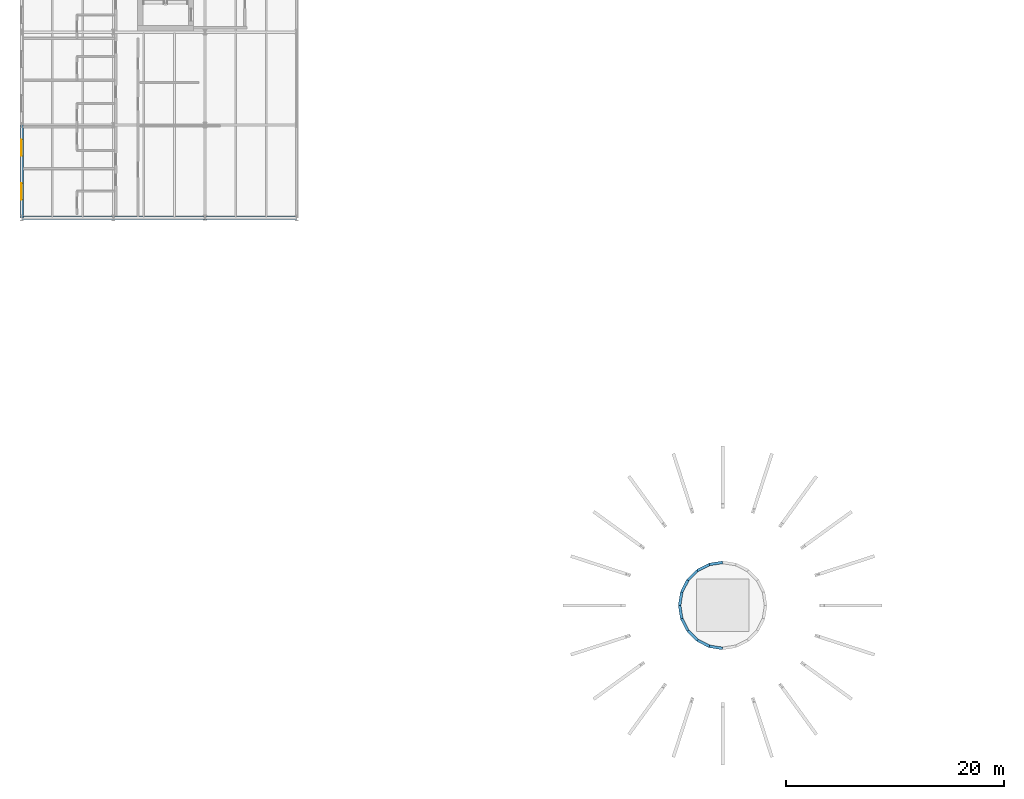
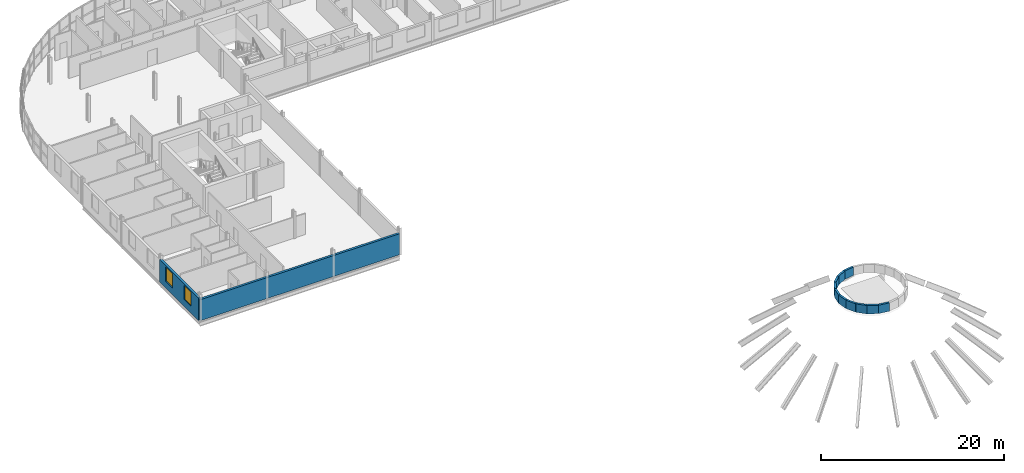
# One storey, part 17 of 34: 12 walls, 2 windows, 2 openings.
"""IFC4 building model written with IfcOpenShell, lengths in metres."""

import ifcopenshell
import ifcopenshell.guid

model = None  # the IFC model being written
_history = None  # IfcOwnerHistory: only IFC2X3 demands one
_inside = {}  # id of a spatial element -> (the spatial element, [elements in it])
_under = {}  # id of a project, library or spatial element -> (it, [spatial elements below it])
_declared = {}  # id of a project -> (the project, [libraries it declares])
_typed = {}  # id of a type object -> (the type object, [elements of that type])
_made_of = {}  # id of a material, layer set ... -> (it, [elements and type objects made of it])


def new_model(schema):
    """Start an empty IFC model of exactly this schema.

    Asked for "IFC4X3", IfcOpenShell would pick the latest addendum, in which some entities
    have other attributes; the version numbers below select the first issue.
    IFC2X3 requires an IfcOwnerHistory on every rooted entity: one is made here for all.
    """
    global model, _history
    if schema == "IFC4X3":
        model = ifcopenshell.file(schema_version=(4, 3, 0, 0))
    else:
        model = ifcopenshell.file(schema=schema)
    _inside.clear()
    _under.clear()
    _declared.clear()
    _typed.clear()
    _made_of.clear()
    _history = None
    if model.schema == "IFC2X3":
        org = make("IfcOrganization", Name="unknown")
        user = make(
            "IfcPersonAndOrganization",
            ThePerson=make("IfcPerson", FamilyName="unknown"),
            TheOrganization=org,
        )
        app = make(
            "IfcApplication",
            ApplicationDeveloper=org,
            Version="unknown",
            ApplicationFullName="unknown",
            ApplicationIdentifier="unknown",
        )
        _history = make(
            "IfcOwnerHistory",
            OwningUser=user,
            OwningApplication=app,
            ChangeAction="ADDED",
            CreationDate=0,
        )
    return model


def make(cls, **values):
    """One entity of the class cls with the attributes given. An attribute that is None is left unset."""
    return model.create_entity(
        cls, **{name: value for name, value in values.items() if value is not None}
    )


def rooted(cls, **values):
    """An entity with a GlobalId (a new one), such as an element, a storey or a relation."""
    return make(cls, GlobalId=ifcopenshell.guid.new(), OwnerHistory=_history, **values)


def si_unit(unit_type, name, prefix=None):
    """IfcSIUnit, for example si_unit("LENGTHUNIT", "METRE", prefix="MILLI")."""
    return make("IfcSIUnit", UnitType=unit_type, Prefix=prefix, Name=name)


def assignment(units):
    """IfcUnitAssignment: the units of a project."""
    return None if units is None else make("IfcUnitAssignment", Units=units)


def point(xyz):
    """IfcCartesianPoint."""
    return None if xyz is None else make("IfcCartesianPoint", Coordinates=xyz)


def direction(xyz):
    """IfcDirection."""
    return None if xyz is None else make("IfcDirection", DirectionRatios=xyz)


def frame(location, z_axis=None, x_axis=None):
    """IfcAxis2Placement3D, a coordinate frame: its origin and axes. An axis left out is left unset."""
    return make(
        "IfcAxis2Placement3D",
        Location=point(location),
        Axis=direction(z_axis),
        RefDirection=direction(x_axis),
    )


def frame_2d(location, x_axis=None):
    """IfcAxis2Placement2D, a coordinate frame in the plane: its origin and x axis."""
    return make(
        "IfcAxis2Placement2D", Location=point(location), RefDirection=direction(x_axis)
    )


def origin():
    """The frame at (0, 0, 0) with its axes left unset."""
    return frame((0.0, 0.0, 0.0))


def place(relative_to, where):
    """IfcLocalPlacement: puts the frame where relative to a parent placement (None: the world)."""
    return make(
        "IfcLocalPlacement", PlacementRelTo=relative_to, RelativePlacement=where
    )


def context(
    kind, dimensions, precision=None, world=None, true_north=None, identifier=None
):
    """IfcGeometricRepresentationContext, for example the 3D "Model" context."""
    return make(
        "IfcGeometricRepresentationContext",
        ContextIdentifier=identifier,
        ContextType=kind,
        CoordinateSpaceDimension=dimensions,
        Precision=precision,
        WorldCoordinateSystem=world,
        TrueNorth=true_north,
    )


def subcontext(parent, identifier, kind, view, scale=None):
    """IfcGeometricRepresentationSubContext, for example "Body" below "Model"."""
    return make(
        "IfcGeometricRepresentationSubContext",
        ContextIdentifier=identifier,
        ContextType=kind,
        ParentContext=parent,
        TargetScale=scale,
        TargetView=view,
    )


def project(units=None, contexts=None):
    """IfcProject with its units and contexts."""
    return rooted(
        "IfcProject",
        Name="project",
        RepresentationContexts=contexts,
        UnitsInContext=assignment(units),
    )


def spatial(cls, under=None, at=None, **own):
    """A site, building, storey or space (cls), placed at a placement, below another one or the project."""
    s = rooted(cls, ObjectPlacement=at, **own)
    if under is not None:
        _under.setdefault(under.id(), (under, []))[1].append(s)
    return s


def profile(cls, at=None, kind="AREA", **sizes):
    """A parametric profile (cls). Its sizes go by their IFC names, for example OverallWidth=200.0."""
    return make(cls, ProfileType=kind, Position=at, **sizes)


def rectangle(**sizes):
    """IfcRectangleProfileDef."""
    return profile("IfcRectangleProfileDef", **sizes)


def extrude(swept, where, along, depth):
    """IfcExtrudedAreaSolid: the profile swept, set in the frame where, extruded along a direction by depth."""
    return make(
        "IfcExtrudedAreaSolid",
        SweptArea=swept,
        Position=where,
        ExtrudedDirection=direction(along),
        Depth=depth,
    )


def shape(context_of_items, identifier, shape_type, items):
    """IfcShapeRepresentation: the items that make up one representation, for example the "Body"."""
    return make(
        "IfcShapeRepresentation",
        ContextOfItems=context_of_items,
        RepresentationIdentifier=identifier,
        RepresentationType=shape_type,
        Items=items,
    )


def material(Name=None, Category=None):
    """IfcMaterial."""
    return make("IfcMaterial", Name=Name, Category=Category)


def layer(
    of_material, thickness, ventilated=None, Name=None, Category=None, Priority=None
):
    """IfcMaterialLayer: one layer of a wall or slab, of a material (None: an air gap)."""
    return make(
        "IfcMaterialLayer",
        Material=of_material,
        LayerThickness=thickness,
        IsVentilated=ventilated,
        Name=Name,
        Category=Category,
        Priority=Priority,
    )


def layer_set(layers, Name=None):
    """IfcMaterialLayerSet."""
    return make("IfcMaterialLayerSet", MaterialLayers=layers, LayerSetName=Name)


def made_of(thing, what):
    """Note that an element or type object is made of a material, layer set ...; save() writes the relation."""
    if what is not None:
        _made_of.setdefault(what.id(), (what, []))[1].append(thing)
    return thing


def type_object(cls, material=None, **own):
    """A type object (cls), such as IfcWallType, which elements share."""
    return made_of(rooted(cls, **own), material)


def element(
    cls,
    number,
    at=None,
    inside=None,
    cuts=None,
    type_object=None,
    material=None,
    context=None,
    identifier="Body",
    shape_type=None,
    held_by="IfcProductDefinitionShape",
    body=None,
    shapes=None,
    **own,
):
    """One element of the class cls, such as IfcWall. Its Tag is "e" and its number.

    at: its placement. inside: the storey or other place that contains it. cuts: it is an
    opening in that element (IfcRelVoidsElement). A single representation is given by context,
    identifier, shape_type and body (its items); several are given by shapes. held_by: the class
    of the entity that holds the representations. save() writes the other relations.
    """
    e = rooted(cls, Tag="e%d" % number, ObjectPlacement=at, **own)
    if body is not None:
        shapes = [shape(context, identifier, shape_type, body)]
    if shapes is not None:
        e.Representation = make(held_by, Representations=shapes)
    if inside is not None:
        _inside.setdefault(inside.id(), (inside, []))[1].append(e)
    if cuts is not None:
        rooted(
            "IfcRelVoidsElement", RelatingBuildingElement=cuts, RelatedOpeningElement=e
        )
    if type_object is not None:
        _typed.setdefault(type_object.id(), (type_object, []))[1].append(e)
    return made_of(e, material)


def fill(opening, filler):
    """IfcRelFillsElement: the door or window that sits in an opening."""
    return rooted(
        "IfcRelFillsElement",
        RelatingOpeningElement=opening,
        RelatedBuildingElement=filler,
    )


def aggregate(whole, parts):
    """IfcRelAggregates: a whole, such as a stair, and the parts it consists of."""
    return rooted("IfcRelAggregates", RelatingObject=whole, RelatedObjects=parts)


def save(model, path):
    """Write the relations noted so far, then the file.

    IfcRelAggregates (storeys below a building ...), IfcRelContainedInSpatialStructure (elements
    in a storey), IfcRelDefinesByType, IfcRelAssociatesMaterial and IfcRelDeclares: one each for
    every whole, place, type object, material and project.
    """
    for whole, parts in _under.values():
        aggregate(whole, parts)
    for where, things in _inside.values():
        rooted(
            "IfcRelContainedInSpatialStructure",
            RelatedElements=things,
            RelatingStructure=where,
        )
    for kind, things in _typed.values():
        rooted("IfcRelDefinesByType", RelatedObjects=things, RelatingType=kind)
    for what, things in _made_of.values():
        rooted("IfcRelAssociatesMaterial", RelatedObjects=things, RelatingMaterial=what)
    for by, libraries in _declared.values():
        rooted("IfcRelDeclares", RelatingContext=by, RelatedDefinitions=libraries)
    model.write(path)


model = new_model("IFC4")

# Units and contexts
model_context = context("Model", 3, precision=1e-05, world=origin(), true_north=direction((0.0, 1.0)))
body_context = subcontext(model_context, "Body", "Model", "MODEL_VIEW")
ifc_project = project(units=[si_unit("LENGTHUNIT", "METRE"), si_unit("AREAUNIT", "SQUARE_METRE"), si_unit("VOLUMEUNIT", "CUBIC_METRE"), si_unit("PLANEANGLEUNIT", "RADIAN"), si_unit("MASSUNIT", "GRAM", prefix="KILO")], contexts=[model_context])

# Site, building, storey
site_placement = place(None, origin())
site = spatial("IfcSite", under=ifc_project, at=site_placement, CompositionType="ELEMENT")
building_placement = place(site_placement, origin())
building = spatial("IfcBuilding", under=site, at=building_placement, Name="Sefraquen Railside Congress Hotel", CompositionType="ELEMENT")
storey_placement = place(building_placement, frame((0.0, 0.0, 31.800048828125)))
storey = spatial("IfcBuildingStorey", under=building, at=storey_placement, Name="L07", CompositionType="ELEMENT", Elevation=31.800048828125)

# Wall
ifc_material_1 = material(Name="Ochre Rabat calcarenite limestone and Concrete C40/50 backing", Category="masonry")
ifc_layer_1 = layer(ifc_material_1, 0.280029296875)
ifc_layer_set_1 = layer_set([ifc_layer_1], Name="Ochre Rabat calcarenite limestone and Concrete C40/50 backing")
wall_type_1 = type_object("IfcWallType", Name="TW-EW-280", PredefinedType="STANDARD", material=ifc_layer_set_1)
wall_1_placement = place(storey_placement, frame((0.0, 62.5, 0.0), z_axis=(0.0, 0.0, 1.0), x_axis=(1.0, 0.0, 0.0)))
element("IfcWall", 1, at=wall_1_placement, inside=storey, type_object=wall_type_1, Name="Hotel L07 south-west return wall", PredefinedType="STANDARD", context=body_context, shape_type="SweptSolid", body=[
    extrude(rectangle(XDim=25.199951171875, YDim=0.280029296875, at=frame_2d((12.60009765625, 0.0))), origin(), (0.0, 0.0, 1.0), 2.800048828125),
])

# Wall, openings, windows
ifc_layer_2 = layer(ifc_material_1, 0.300048828125)
ifc_layer_set_2 = layer_set([ifc_layer_2], Name="Ochre Rabat calcarenite limestone and Concrete C40/50 backing")
wall_type_2 = type_object("IfcWallType", Name="TW-EW-300", PredefinedType="STANDARD", material=ifc_layer_set_2)
wall_2_placement = place(storey_placement, frame((0.0, 62.5, 0.0), z_axis=(0.0, 0.0, 1.0), x_axis=(0.0, 1.0, 0.0)))
wall_2 = element("IfcWall", 2, at=wall_2_placement, inside=storey, type_object=wall_type_2, Name="Hotel L07 West Forecourt facade wall", PredefinedType="STANDARD", context=body_context, shape_type="SweptSolid", body=[
    extrude(rectangle(XDim=8.5, YDim=0.300048828125, at=frame_2d((4.25, 0.0))), origin(), (0.0, 0.0, 1.0), 2.989990234375),
])
opening_1_placement = place(wall_2_placement, frame((1.652099609375, 0.0, 0.89990234375)))
opening_1 = element("IfcOpeningElement", 3, at=opening_1_placement, cuts=wall_2, Name="Opening WN-11", PredefinedType="OPENING", context=body_context, shape_type="SweptSolid", body=[
    extrude(rectangle(XDim=1.5, YDim=1.909912109375, at=frame_2d((0.75, 0.955078125))), frame((0.0, 0.159912109375, 0.0), z_axis=(0.0, -1.0, 0.0), x_axis=(1.0, 0.0, 0.0)), (0.0, 0.0, 1.0), 0.320068359375),
])
opening_2_placement = place(wall_2_placement, frame((5.6630859375, 0.0, 0.89990234375)))
opening_2 = element("IfcOpeningElement", 4, at=opening_2_placement, cuts=wall_2, Name="Opening WN-12", PredefinedType="OPENING", context=body_context, shape_type="SweptSolid", body=[
    extrude(rectangle(XDim=1.5, YDim=1.909912109375, at=frame_2d((0.75, 0.955078125))), frame((0.0, 0.159912109375, 0.0), z_axis=(0.0, -1.0, 0.0), x_axis=(1.0, 0.0, 0.0)), (0.0, 0.0, 1.0), 0.320068359375),
])
ifc_material_2 = material(Name="Solar-control low-E double glazing in bronze-anodised frame", Category="glass")
window_type_1 = type_object("IfcWindowType", Name="TWN-W-11", PartitioningType="DOUBLE_PANEL_VERTICAL", PredefinedType="WINDOW", material=ifc_material_2)
window_1_placement = place(opening_1_placement, origin())
window_1 = element("IfcWindow", 5, at=window_1_placement, inside=storey, type_object=window_type_1, Name="Guest room west window SP-L07-RM-037", OverallHeight=1.909912109375, OverallWidth=1.5, PartitioningType="DOUBLE_PANEL_VERTICAL", PredefinedType="WINDOW", context=body_context, shape_type="SweptSolid", body=[
    extrude(rectangle(XDim=1.5, YDim=1.909912109375, at=frame_2d((0.75, 0.955078125))), frame((0.0, 0.030029296875, 0.0), z_axis=(0.0, -1.0, 0.0), x_axis=(1.0, 0.0, 0.0)), (0.0, 0.0, 1.0), 0.06005859375),
])
fill(opening_1, window_1)
window_type_2 = type_object("IfcWindowType", Name="TWN-W-12", PartitioningType="DOUBLE_PANEL_VERTICAL", PredefinedType="WINDOW", material=ifc_material_2)
window_2_placement = place(opening_2_placement, origin())
window_2 = element("IfcWindow", 6, at=window_2_placement, inside=storey, type_object=window_type_2, Name="Guest room west window SP-L07-RM-038", OverallHeight=1.909912109375, OverallWidth=1.5, PartitioningType="DOUBLE_PANEL_VERTICAL", PredefinedType="WINDOW", context=body_context, shape_type="SweptSolid", body=[
    extrude(rectangle(XDim=1.5, YDim=1.909912109375, at=frame_2d((0.75, 0.955078125))), frame((0.0, 0.030029296875, 0.0), z_axis=(0.0, -1.0, 0.0), x_axis=(1.0, 0.0, 0.0)), (0.0, 0.0, 1.0), 0.06005859375),
])
fill(opening_2, window_2)

# Walls
ifc_material_3 = material(Name="Precast concrete C40/50", Category="concrete")
ifc_layer_3 = layer(ifc_material_3, 0.25)
ifc_layer_set_3 = layer_set([ifc_layer_3], Name="Precast concrete C40/50")
wall_type_3 = type_object("IfcWallType", Name="TW-PA-250", PredefinedType="PARAPET", material=ifc_layer_set_3)
wall_3_placement = place(storey_placement, frame((64.199951171875, 30.93994140625, 2.699951171875), z_axis=(0.0, 0.0, 1.0), x_axis=(-0.987714741959, -0.156267682255, 0.0)))
element("IfcWall", 7, at=wall_3_placement, inside=storey, type_object=wall_type_3, Name="Dome oculus maintenance parapet 06", PredefinedType="PARAPET", context=body_context, shape_type="SweptSolid", body=[
    extrude(rectangle(XDim=1.232666015625, YDim=0.25, at=frame_2d((0.6162109375, 0.0))), origin(), (0.0, 0.0, 1.0), 1.1201171875),
])
wall_4_placement = place(storey_placement, frame((62.982421875, 30.747314453125, 2.699951171875), z_axis=(0.0, 0.0, 1.0), x_axis=(-0.890954849555, -0.454091902652, 0.0)))
element("IfcWall", 8, at=wall_4_placement, inside=storey, type_object=wall_type_3, Name="Dome oculus maintenance parapet 07", PredefinedType="PARAPET", context=body_context, shape_type="SweptSolid", body=[
    extrude(rectangle(XDim=1.23291015625, YDim=0.25, at=frame_2d((0.616455078125, 0.0))), origin(), (0.0, 0.0, 1.0), 1.1201171875),
])
for number, where, z_axis, x_axis, name in (
    (9, (61.884033203125, 30.1875, 2.699951171875), (0.0, 0.0, 1.0), (-0.707106781187, -0.707106781187, 0.0), "Dome oculus maintenance parapet 08"),
    (10, (61.012451171875, 29.31591796875, 2.699951171875), (0.0, 0.0, 1.0), (-0.453934681971, -0.89103496256, 0.0), "Dome oculus maintenance parapet 09"),
    (11, (60.452880859375, 28.217529296875, 2.699951171875), (0.0, 0.0, 1.0), (-0.156460894688, -0.987684154188, 0.0), "Dome oculus maintenance parapet 10"),
    (12, (60.260009765625, 27.0, 2.699951171875), (0.0, 0.0, 1.0), (0.156460894688, -0.987684154188, 0.0), "Dome oculus maintenance parapet 11"),
    (13, (60.452880859375, 25.782470703125, 2.699951171875), (0.0, 0.0, 1.0), (0.453934681971, -0.89103496256, 0.0), "Dome oculus maintenance parapet 12"),
    (14, (61.012451171875, 24.68408203125, 2.699951171875), (0.0, 0.0, 1.0), (0.707106781187, -0.707106781187, 0.0), "Dome oculus maintenance parapet 13"),
):
    element("IfcWall", number, at=place(storey_placement, frame(where, z_axis=z_axis, x_axis=x_axis)), inside=storey, type_object=wall_type_3, Name=name, PredefinedType="PARAPET", context=body_context, shape_type="SweptSolid", body=[
        extrude(rectangle(XDim=1.232666015625, YDim=0.25, at=frame_2d((0.6162109375, 0.0))), origin(), (0.0, 0.0, 1.0), 1.1201171875),
    ])
wall_5_placement = place(storey_placement, frame((61.884033203125, 23.8125, 2.699951171875), z_axis=(0.0, 0.0, 1.0), x_axis=(0.890954849555, -0.454091902652, 0.0)))
element("IfcWall", 15, at=wall_5_placement, inside=storey, type_object=wall_type_3, Name="Dome oculus maintenance parapet 14", PredefinedType="PARAPET", context=body_context, shape_type="SweptSolid", body=[
    extrude(rectangle(XDim=1.23291015625, YDim=0.25, at=frame_2d((0.616455078125, 0.0))), origin(), (0.0, 0.0, 1.0), 1.1201171875),
])
wall_6_placement = place(storey_placement, frame((62.982421875, 23.252685546875, 2.699951171875), z_axis=(0.0, 0.0, 1.0), x_axis=(0.987714741959, -0.156267682255, 0.0)))
element("IfcWall", 16, at=wall_6_placement, inside=storey, type_object=wall_type_3, Name="Dome oculus maintenance parapet 15", PredefinedType="PARAPET", context=body_context, shape_type="SweptSolid", body=[
    extrude(rectangle(XDim=1.232666015625, YDim=0.25, at=frame_2d((0.6162109375, 0.0))), origin(), (0.0, 0.0, 1.0), 1.1201171875),
])

save(model, "model.ifc")
